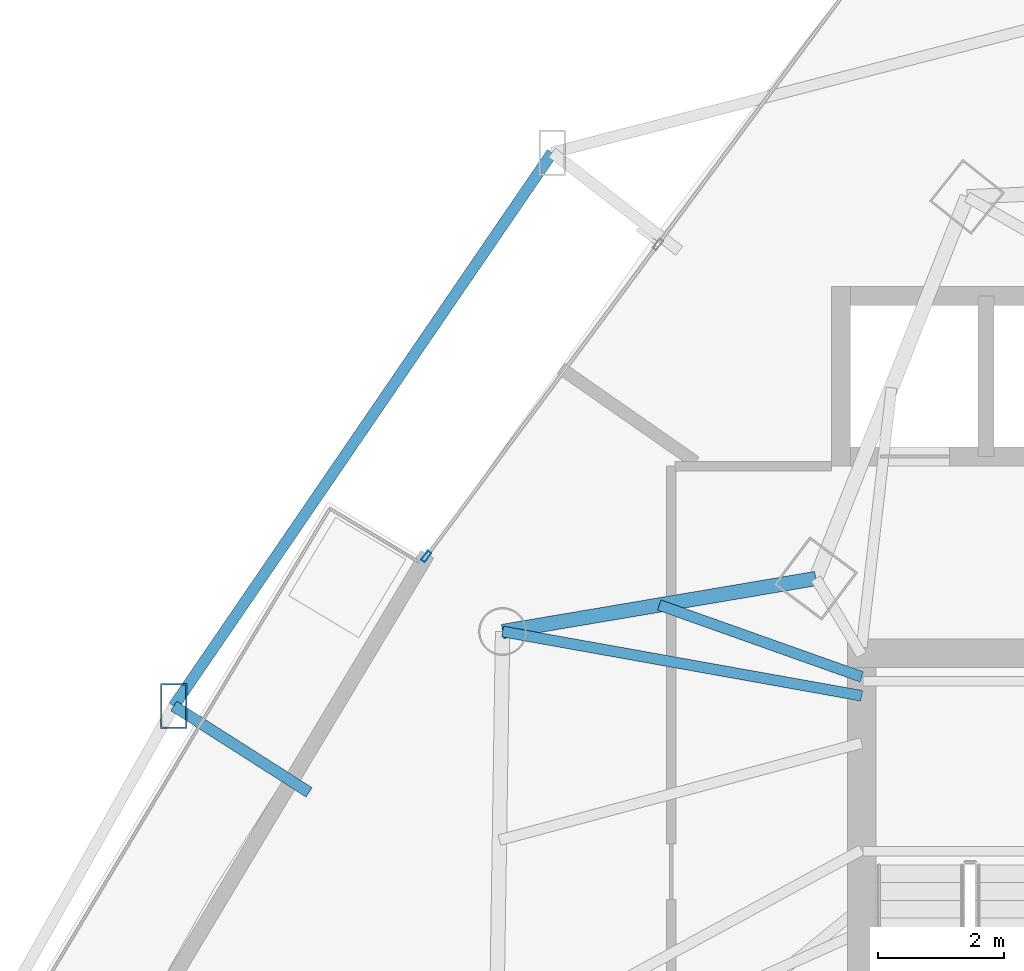
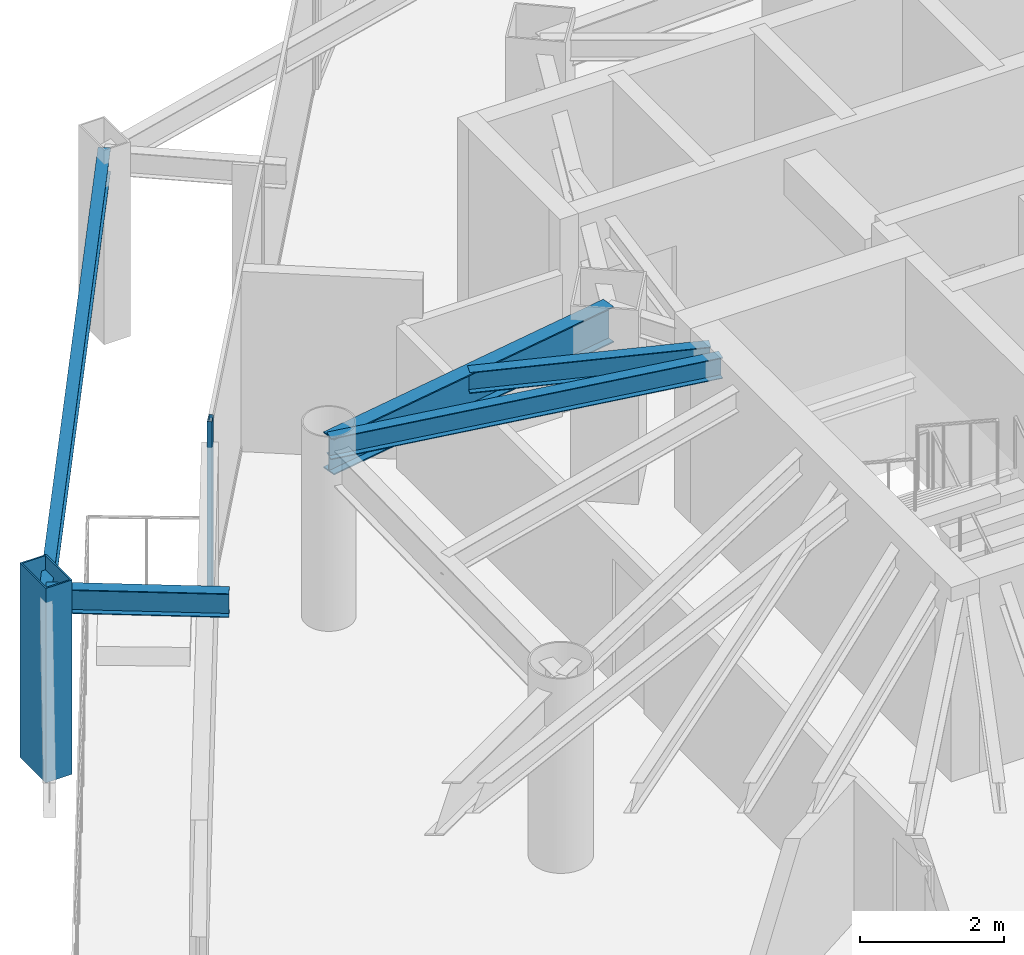
# One storey, part 20 of 34: 5 beams, 2 members, 1 element without a shape of its own.
"""IFC4 building model written with IfcOpenShell, lengths in metres."""

import ifcopenshell
import ifcopenshell.guid

model = None  # the IFC model being written
_history = None  # IfcOwnerHistory: only IFC2X3 demands one
_inside = {}  # id of a spatial element -> (the spatial element, [elements in it])
_under = {}  # id of a project, library or spatial element -> (it, [spatial elements below it])
_declared = {}  # id of a project -> (the project, [libraries it declares])
_typed = {}  # id of a type object -> (the type object, [elements of that type])
_made_of = {}  # id of a material, layer set ... -> (it, [elements and type objects made of it])


def new_model(schema):
    """Start an empty IFC model of exactly this schema.

    Asked for "IFC4X3", IfcOpenShell would pick the latest addendum, in which some entities
    have other attributes; the version numbers below select the first issue.
    IFC2X3 requires an IfcOwnerHistory on every rooted entity: one is made here for all.
    """
    global model, _history
    if schema == "IFC4X3":
        model = ifcopenshell.file(schema_version=(4, 3, 0, 0))
    else:
        model = ifcopenshell.file(schema=schema)
    _inside.clear()
    _under.clear()
    _declared.clear()
    _typed.clear()
    _made_of.clear()
    _history = None
    if model.schema == "IFC2X3":
        org = make("IfcOrganization", Name="unknown")
        user = make(
            "IfcPersonAndOrganization",
            ThePerson=make("IfcPerson", FamilyName="unknown"),
            TheOrganization=org,
        )
        app = make(
            "IfcApplication",
            ApplicationDeveloper=org,
            Version="unknown",
            ApplicationFullName="unknown",
            ApplicationIdentifier="unknown",
        )
        _history = make(
            "IfcOwnerHistory",
            OwningUser=user,
            OwningApplication=app,
            ChangeAction="ADDED",
            CreationDate=0,
        )
    return model


def make(cls, **values):
    """One entity of the class cls with the attributes given. An attribute that is None is left unset."""
    return model.create_entity(
        cls, **{name: value for name, value in values.items() if value is not None}
    )


def rooted(cls, **values):
    """An entity with a GlobalId (a new one), such as an element, a storey or a relation."""
    return make(cls, GlobalId=ifcopenshell.guid.new(), OwnerHistory=_history, **values)


def si_unit(unit_type, name, prefix=None):
    """IfcSIUnit, for example si_unit("LENGTHUNIT", "METRE", prefix="MILLI")."""
    return make("IfcSIUnit", UnitType=unit_type, Prefix=prefix, Name=name)


def assignment(units):
    """IfcUnitAssignment: the units of a project."""
    return None if units is None else make("IfcUnitAssignment", Units=units)


def point(xyz):
    """IfcCartesianPoint."""
    return None if xyz is None else make("IfcCartesianPoint", Coordinates=xyz)


def direction(xyz):
    """IfcDirection."""
    return None if xyz is None else make("IfcDirection", DirectionRatios=xyz)


def frame(location, z_axis=None, x_axis=None):
    """IfcAxis2Placement3D, a coordinate frame: its origin and axes. An axis left out is left unset."""
    return make(
        "IfcAxis2Placement3D",
        Location=point(location),
        Axis=direction(z_axis),
        RefDirection=direction(x_axis),
    )


def frame_2d(location, x_axis=None):
    """IfcAxis2Placement2D, a coordinate frame in the plane: its origin and x axis."""
    return make(
        "IfcAxis2Placement2D", Location=point(location), RefDirection=direction(x_axis)
    )


def origin():
    """The frame at (0, 0, 0) with its axes left unset."""
    return frame((0.0, 0.0, 0.0))


def origin_2d():
    """The frame at (0, 0) in the plane with its x axis left unset."""
    return frame_2d((0.0, 0.0))


def place(relative_to, where):
    """IfcLocalPlacement: puts the frame where relative to a parent placement (None: the world)."""
    return make(
        "IfcLocalPlacement", PlacementRelTo=relative_to, RelativePlacement=where
    )


def context(
    kind, dimensions, precision=None, world=None, true_north=None, identifier=None
):
    """IfcGeometricRepresentationContext, for example the 3D "Model" context."""
    return make(
        "IfcGeometricRepresentationContext",
        ContextIdentifier=identifier,
        ContextType=kind,
        CoordinateSpaceDimension=dimensions,
        Precision=precision,
        WorldCoordinateSystem=world,
        TrueNorth=true_north,
    )


def subcontext(parent, identifier, kind, view, scale=None):
    """IfcGeometricRepresentationSubContext, for example "Body" below "Model"."""
    return make(
        "IfcGeometricRepresentationSubContext",
        ContextIdentifier=identifier,
        ContextType=kind,
        ParentContext=parent,
        TargetScale=scale,
        TargetView=view,
    )


def project(units=None, contexts=None):
    """IfcProject with its units and contexts."""
    return rooted(
        "IfcProject",
        Name="project",
        RepresentationContexts=contexts,
        UnitsInContext=assignment(units),
    )


def spatial(cls, under=None, at=None, **own):
    """A site, building, storey or space (cls), placed at a placement, below another one or the project."""
    s = rooted(cls, ObjectPlacement=at, **own)
    if under is not None:
        _under.setdefault(under.id(), (under, []))[1].append(s)
    return s


def profile(cls, at=None, kind="AREA", **sizes):
    """A parametric profile (cls). Its sizes go by their IFC names, for example OverallWidth=200.0."""
    return make(cls, ProfileType=kind, Position=at, **sizes)


def hollow_rectangle(**sizes):
    """IfcRectangleHollowProfileDef."""
    return profile("IfcRectangleHollowProfileDef", **sizes)


def i_section(**sizes):
    """IfcIShapeProfileDef."""
    return profile("IfcIShapeProfileDef", **sizes)


def extrude(swept, where, along, depth):
    """IfcExtrudedAreaSolid: the profile swept, set in the frame where, extruded along a direction by depth."""
    return make(
        "IfcExtrudedAreaSolid",
        SweptArea=swept,
        Position=where,
        ExtrudedDirection=direction(along),
        Depth=depth,
    )


def shape(context_of_items, identifier, shape_type, items):
    """IfcShapeRepresentation: the items that make up one representation, for example the "Body"."""
    return make(
        "IfcShapeRepresentation",
        ContextOfItems=context_of_items,
        RepresentationIdentifier=identifier,
        RepresentationType=shape_type,
        Items=items,
    )


def material(Name=None, Category=None):
    """IfcMaterial."""
    return make("IfcMaterial", Name=Name, Category=Category)


def layer(
    of_material, thickness, ventilated=None, Name=None, Category=None, Priority=None
):
    """IfcMaterialLayer: one layer of a wall or slab, of a material (None: an air gap)."""
    return make(
        "IfcMaterialLayer",
        Material=of_material,
        LayerThickness=thickness,
        IsVentilated=ventilated,
        Name=Name,
        Category=Category,
        Priority=Priority,
    )


def layer_set(layers, Name=None):
    """IfcMaterialLayerSet."""
    return make("IfcMaterialLayerSet", MaterialLayers=layers, LayerSetName=Name)


def material_profile(
    of_material, cross_section, Name=None, Category=None, Priority=None
):
    """IfcMaterialProfile: a cross section and its material."""
    return make(
        "IfcMaterialProfile",
        Name=Name,
        Material=of_material,
        Profile=cross_section,
        Priority=Priority,
        Category=Category,
    )


def profile_set(profiles, Name=None, composite=None):
    """IfcMaterialProfileSet."""
    return make(
        "IfcMaterialProfileSet",
        Name=Name,
        MaterialProfiles=profiles,
        CompositeProfile=composite,
    )


def made_of(thing, what):
    """Note that an element or type object is made of a material, layer set ...; save() writes the relation."""
    if what is not None:
        _made_of.setdefault(what.id(), (what, []))[1].append(thing)
    return thing


def type_object(cls, material=None, **own):
    """A type object (cls), such as IfcWallType, which elements share."""
    return made_of(rooted(cls, **own), material)


def element(
    cls,
    number,
    at=None,
    inside=None,
    cuts=None,
    type_object=None,
    material=None,
    context=None,
    identifier="Body",
    shape_type=None,
    held_by="IfcProductDefinitionShape",
    body=None,
    shapes=None,
    **own,
):
    """One element of the class cls, such as IfcWall. Its Tag is "e" and its number.

    at: its placement. inside: the storey or other place that contains it. cuts: it is an
    opening in that element (IfcRelVoidsElement). A single representation is given by context,
    identifier, shape_type and body (its items); several are given by shapes. held_by: the class
    of the entity that holds the representations. save() writes the other relations.
    """
    e = rooted(cls, Tag="e%d" % number, ObjectPlacement=at, **own)
    if body is not None:
        shapes = [shape(context, identifier, shape_type, body)]
    if shapes is not None:
        e.Representation = make(held_by, Representations=shapes)
    if inside is not None:
        _inside.setdefault(inside.id(), (inside, []))[1].append(e)
    if cuts is not None:
        rooted(
            "IfcRelVoidsElement", RelatingBuildingElement=cuts, RelatedOpeningElement=e
        )
    if type_object is not None:
        _typed.setdefault(type_object.id(), (type_object, []))[1].append(e)
    return made_of(e, material)


def aggregate(whole, parts):
    """IfcRelAggregates: a whole, such as a stair, and the parts it consists of."""
    return rooted("IfcRelAggregates", RelatingObject=whole, RelatedObjects=parts)


def save(model, path):
    """Write the relations noted so far, then the file.

    IfcRelAggregates (storeys below a building ...), IfcRelContainedInSpatialStructure (elements
    in a storey), IfcRelDefinesByType, IfcRelAssociatesMaterial and IfcRelDeclares: one each for
    every whole, place, type object, material and project.
    """
    for whole, parts in _under.values():
        aggregate(whole, parts)
    for where, things in _inside.values():
        rooted(
            "IfcRelContainedInSpatialStructure",
            RelatedElements=things,
            RelatingStructure=where,
        )
    for kind, things in _typed.values():
        rooted("IfcRelDefinesByType", RelatedObjects=things, RelatingType=kind)
    for what, things in _made_of.values():
        rooted("IfcRelAssociatesMaterial", RelatedObjects=things, RelatingMaterial=what)
    for by, libraries in _declared.values():
        rooted("IfcRelDeclares", RelatingContext=by, RelatedDefinitions=libraries)
    model.write(path)


model = new_model("IFC4")

# Units and contexts
model_context = context("Model", 3, precision=1e-05, world=origin(), true_north=direction((0.0, 1.0)))
body_context = subcontext(model_context, "Body", "Model", "MODEL_VIEW")
ifc_project = project(units=[si_unit("LENGTHUNIT", "METRE"), si_unit("AREAUNIT", "SQUARE_METRE"), si_unit("VOLUMEUNIT", "CUBIC_METRE"), si_unit("PLANEANGLEUNIT", "RADIAN"), si_unit("MASSUNIT", "GRAM", prefix="KILO")], contexts=[model_context])

# Site, building, storey
site_placement = place(None, origin())
site = spatial("IfcSite", under=ifc_project, at=site_placement, CompositionType="ELEMENT")
building_placement = place(site_placement, origin())
building = spatial("IfcBuilding", under=site, at=building_placement, Name="Orvanel Arch Residences", CompositionType="ELEMENT")
storey_placement = place(building_placement, frame((0.0, 0.0, 64.25)))
storey = spatial("IfcBuildingStorey", under=building, at=storey_placement, Name="L17", CompositionType="ELEMENT", Elevation=64.25)

# Beams
ifc_material_1 = material(Name="Structural steel AS/NZS 3679.1 Grade 300 (300 MPa)", Category="steel")
ifc_material_profile_1 = material_profile(ifc_material_1, i_section(OverallWidth=0.1708984375, OverallDepth=0.35595703125, WebThickness=0.00732421875, FlangeThickness=0.011474609375, at=origin_2d()), Name="360UB50.7")
ifc_profile_set_1 = profile_set([ifc_material_profile_1], Name="Structural steel AS/NZS 3679.1 Grade 300 (300 MPa)")
beam_type_1 = type_object("IfcBeamType", Name="BJ-360UB", PredefinedType="JOIST", material=ifc_profile_set_1)
beam_1_placement = place(storey_placement, frame((26.375, 33.25, 2.882080078125), z_axis=(-0.984360855662, 0.176163860766, 0.0), x_axis=(-0.176163860766, -0.984360855662, 0.0)))
element("IfcBeam", 1, at=beam_1_placement, inside=storey, type_object=beam_type_1, Name="L17 LW Wing Floor Joist", PredefinedType="JOIST", context=body_context, shape_type="SweptSolid", body=[
    extrude(i_section(OverallWidth=0.1708984375, OverallDepth=0.35595703125, WebThickness=0.00732421875, FlangeThickness=0.011474609375, at=origin_2d()), origin(), (0.0, 0.0, 1.0), 5.795654296875),
])
beam_2_placement = place(storey_placement, frame((26.375, 33.550048828125, 2.882080078125), z_axis=(-0.942366638377, 0.334582006201, 0.0), x_axis=(-0.334582006201, -0.942366638377, 0.0)))
element("IfcBeam", 2, at=beam_2_placement, inside=storey, type_object=beam_type_1, Name="L17 JADD3 Wing Floor Joist", PredefinedType="JOIST", context=body_context, shape_type="SweptSolid", body=[
    extrude(i_section(OverallWidth=0.1708984375, OverallDepth=0.35595703125, WebThickness=0.00732421875, FlangeThickness=0.011474609375, at=origin_2d()), origin(), (0.0, 0.0, 1.0), 3.412841796875),
])

# Member
ifc_material_2 = material(Name="Structural steel AS/NZS 3678 Grade 350", Category="steel")
ifc_material_profile_2 = material_profile(ifc_material_2, hollow_rectangle(XDim=0.419921875, YDim=0.719970703125, WallThickness=0.02490234375, at=origin_2d()), Name="RHS720x420x25")
ifc_profile_set_2 = profile_set([ifc_material_profile_2], Name="Structural steel AS/NZS 3678 Grade 350")
member_type_1 = type_object("IfcMemberType", Name="CH-720RHS-EXT", PredefinedType="CHORD", material=ifc_profile_set_2)
member_1_placement = place(storey_placement, frame((15.445068359375, 33.0869140625, 0.0), z_axis=(0.0, 0.0, 1.0), x_axis=(1.0, 0.0, 0.0)))
element("IfcMember", 3, at=member_1_placement, inside=storey, type_object=member_type_1, Name="L17 Outer Perimeter Frame Post 02", PredefinedType="CHORD", context=body_context, shape_type="SweptSolid", body=[
    extrude(hollow_rectangle(XDim=0.419921875, YDim=0.719970703125, WallThickness=0.02490234375, at=origin_2d()), origin(), (0.0, 0.0, 1.0), 3.300048828125),
])

# Curtain wall, member
ifc_material_3 = material(Name="Bronze-anodised aluminium AA6063-T6", Category="aluminium")
ifc_layer = layer(ifc_material_3, 0.179931640625)
ifc_layer_set = layer_set([ifc_layer], Name="Bronze-anodised aluminium AA6063-T6")
curtain_wall_type = type_object("IfcCurtainWallType", Name="CW2-LOW-SYS", PredefinedType="NOTDEFINED", material=ifc_layer_set)
curtain_wall_placement = place(storey_placement, origin())
curtain_wall = element("IfcCurtainWall", 4, at=curtain_wall_placement, inside=storey, type_object=curtain_wall_type, Name="L17 CW2-LOW-SYS Unitised Curtain Wall", PredefinedType="NOTDEFINED")
ifc_material_profile_3 = material_profile(ifc_material_3, hollow_rectangle(XDim=0.070068359375, YDim=0.179931640625, WallThickness=0.00439453125, at=origin_2d()), Name="ALU180x70x4.5")
ifc_profile_set_3 = profile_set([ifc_material_profile_3], Name="Bronze-anodised aluminium AA6063-T6")
member_type_2 = type_object("IfcMemberType", Name="MUL-180x70", PredefinedType="MULLION", material=ifc_profile_set_3)
member_2_placement = place(storey_placement, frame((19.455810546875, 35.461181640625, 0.0), z_axis=(0.0, 0.0, 1.0), x_axis=(0.802983727568, -0.596000950722, 0.0)))
member_2 = element("IfcMember", 5, at=member_2_placement, type_object=member_type_2, Name="CW-S2 mullion 3", PredefinedType="MULLION", context=body_context, shape_type="SweptSolid", body=[
    extrude(hollow_rectangle(XDim=0.070068359375, YDim=0.179931640625, WallThickness=0.00439453125, at=origin_2d()), origin(), (0.0, 0.0, 1.0), 3.06005859375),
])
aggregate(curtain_wall, [member_2])

# Beams
ifc_material_profile_4 = material_profile(ifc_material_1, i_section(OverallWidth=0.177978515625, OverallDepth=0.406005859375, WebThickness=0.0078125, FlangeThickness=0.0126953125, at=origin_2d()), Name="410UB59.7")
ifc_profile_set_4 = profile_set([ifc_material_profile_4], Name="Structural steel AS/NZS 3679.1 Grade 300 (300 MPa)")
beam_type_2 = type_object("IfcBeamType", Name="OB-410UB-EXT", PredefinedType="SPANDREL", material=ifc_profile_set_4)
beam_3_placement = place(storey_placement, frame((21.4580078125, 41.8798828125, 2.85693359375), z_axis=(-0.564472739348, -0.8254517106, 0.0), x_axis=(0.8254517106, -0.564472739348, 0.0)))
element("IfcBeam", 6, at=beam_3_placement, inside=storey, type_object=beam_type_2, Name="L17 Outer Perimeter Floor Ring Beam 01", PredefinedType="SPANDREL", context=body_context, shape_type="SweptSolid", body=[
    extrude(i_section(OverallWidth=0.177978515625, OverallDepth=0.406005859375, WebThickness=0.0078125, FlangeThickness=0.0126953125, at=origin_2d()), origin(), (0.0, 0.0, 1.0), 10.65234375),
])
beam_4_placement = place(storey_placement, frame((17.594970703125, 31.715087890625, 2.85693359375), z_axis=(-0.843002565739, 0.537909540868, 0.0), x_axis=(-0.537909540868, -0.843002565739, 0.0)))
element("IfcBeam", 7, at=beam_4_placement, inside=storey, type_object=beam_type_2, Name="L17 Outer Frame Radial Tie Beam 02", PredefinedType="SPANDREL", context=body_context, shape_type="SweptSolid", body=[
    extrude(i_section(OverallWidth=0.177978515625, OverallDepth=0.406005859375, WebThickness=0.0078125, FlangeThickness=0.0126953125, at=origin_2d()), origin(), (0.0, 0.0, 1.0), 2.55029296875),
])
ifc_material_profile_5 = material_profile(ifc_material_1, i_section(OverallWidth=0.22900390625, OverallDepth=0.612060546875, WebThickness=0.011962890625, FlangeThickness=0.01953125, at=origin_2d()), Name="610UB125")
ifc_profile_set_5 = profile_set([ifc_material_profile_5], Name="Structural steel AS/NZS 3679.1 Grade 300 (300 MPa)")
beam_type_3 = type_object("IfcBeamType", Name="SP-610UB", PredefinedType="SPANDREL", material=ifc_profile_set_5)
beam_5_placement = place(storey_placement, frame((25.64794921875, 35.113037109375, 2.75390625), z_axis=(-0.985993733897, -0.166782363326, 0.0), x_axis=(0.166782363326, -0.985993733897, 0.0)))
element("IfcBeam", 8, at=beam_5_placement, inside=storey, type_object=beam_type_3, Name="L17 Perimeter Spandrel Beam 19", PredefinedType="SPANDREL", context=body_context, shape_type="SweptSolid", body=[
    extrude(i_section(OverallWidth=0.22900390625, OverallDepth=0.612060546875, WebThickness=0.011962890625, FlangeThickness=0.01953125, at=origin_2d()), origin(), (0.0, 0.0, 1.0), 5.048828125),
])

save(model, "model.ifc")
